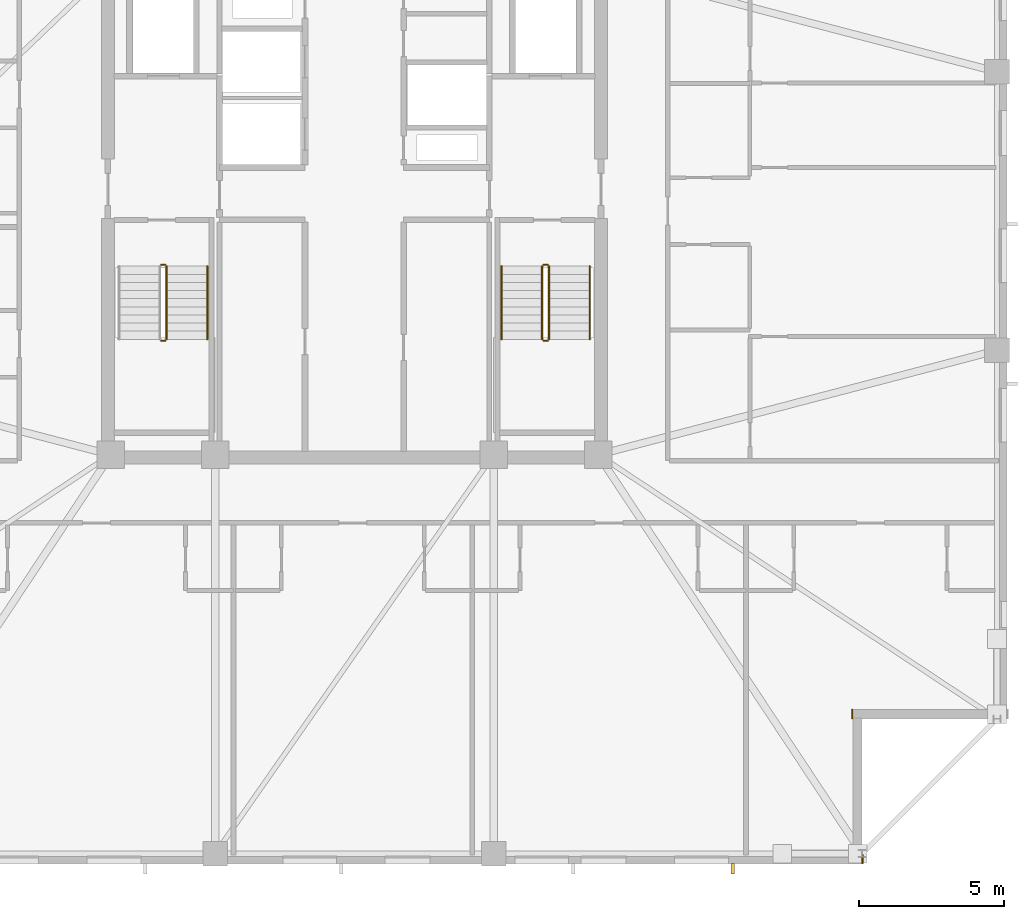
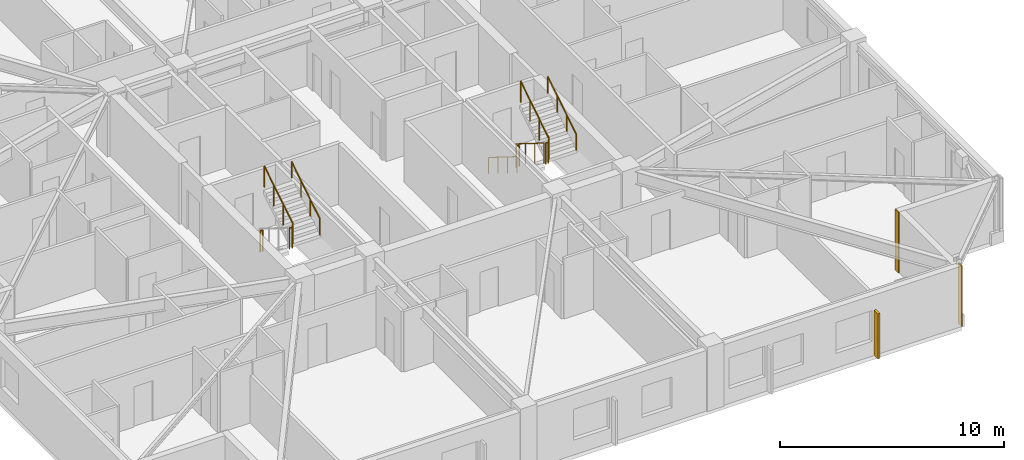
# One storey, part 14 of 17: 10 railings, 2 coverings, 1 shading device.
"""IFC4 building model written with IfcOpenShell, lengths in metres."""

from ifc_helpers import new_model, si_unit, direction, frame, frame_2d, origin, origin_2d, place, context, subcontext, project, spatial, rectangle, circle, extrude, material, layer, layer_set, type_object, element, save


model = new_model("IFC4")

# Units and contexts
model_context = context("Model", 3, precision=1e-05, world=origin(), true_north=direction((0.0, 1.0)))
body_context = subcontext(model_context, "Body", "Model", "MODEL_VIEW")
ifc_project = project(units=[si_unit("LENGTHUNIT", "METRE"), si_unit("AREAUNIT", "SQUARE_METRE"), si_unit("VOLUMEUNIT", "CUBIC_METRE"), si_unit("PLANEANGLEUNIT", "RADIAN"), si_unit("MASSUNIT", "GRAM", prefix="KILO")], contexts=[model_context])

# Site, building, storey
site_placement = place(None, origin())
site = spatial("IfcSite", under=ifc_project, at=site_placement, CompositionType="ELEMENT")
building_placement = place(site_placement, origin())
building = spatial("IfcBuilding", under=site, at=building_placement, Name="Cairnveth Concourse Tower", CompositionType="ELEMENT")
storey_placement = place(building_placement, frame((0.0, 0.0, 244.5)))
storey = spatial("IfcBuildingStorey", under=building, at=storey_placement, Name="L67", CompositionType="ELEMENT", Elevation=244.5)

# Coverings
ifc_material_1 = material(Name="Dressed Melbourne Bluestone Cladding", Category="masonry")
ifc_layer = layer(ifc_material_1, 0.050048828125)
ifc_layer_set = layer_set([ifc_layer], Name="Dressed Melbourne Bluestone Cladding")
covering_type = type_object("IfcCoveringType", Name="DRESSED BLUESTONE PLINTH CLADDING 50", PredefinedType="CLADDING", material=ifc_layer_set)
for number, where, z_axis, x_axis, name in (
    (1, (69.159912109375, 21.820068359375, 0.0), (0.0, 0.0, 1.0), (0.0, -1.0, 0.0), "Melbourne Bluestone Corner Quoin L67-1015"),
    (2, (69.52001953125, 16.820068359375, 0.0), (0.0, 0.0, 1.0), (0.0, -1.0, 0.0), "Melbourne Bluestone Corner Quoin L67-1016"),
):
    element("IfcCovering", number, at=place(storey_placement, frame(where, z_axis=z_axis, x_axis=x_axis)), inside=storey, type_object=covering_type, Name=name, PredefinedType="CLADDING", context=body_context, shape_type="SweptSolid", body=[
        extrude(rectangle(XDim=0.320068359375, YDim=0.050048828125, at=frame_2d((0.16015625, 0.0))), origin(), (0.0, 0.0, 1.0), 3.2900390625),
    ])

# Shading device
ifc_material_2 = material(Name="Architectural Bronze Anodised Aluminium 6063-T6", Category="aluminium")
shading_device_type = type_object("IfcShadingDeviceType", Name="GOTHIC BRONZE VERTICAL LANCET FIN", PredefinedType="USERDEFINED", material=ifc_material_2)
shading_device_placement = place(storey_placement, frame((65.04736328125, 16.324951171875, 0.030029296875), z_axis=(0.0, 0.0, 1.0), x_axis=(1.0, 0.0, 0.0)))
element("IfcShadingDevice", 3, at=shading_device_placement, inside=storey, type_object=shading_device_type, Name="Gothic Bronze Vertical Fin L67-9-1", ObjectType="VERTICAL FIN", PredefinedType="USERDEFINED", context=body_context, shape_type="SweptSolid", body=[
    extrude(rectangle(XDim=0.1201171875, YDim=0.360107421875, at=origin_2d()), origin(), (0.0, 0.0, 1.0), 2.43798828125),
])

# Railings
ifc_material_3 = material(Name="Steel Grade 350", Category="steel")
railing_type_1 = type_object("IfcRailingType", Name="STAIR GUARDRAIL 1150", PredefinedType="GUARDRAIL", material=ifc_material_3)
railing_1_placement = place(storey_placement, frame((45.340087890625, 34.530029296875, 1.75)))
element("IfcRailing", 4, at=railing_1_placement, inside=storey, type_object=railing_type_1, Name="L67 ST-1 stair guard 2", PredefinedType="GUARDRAIL", context=body_context, shape_type="SweptSolid", body=[
    extrude(circle(Radius=0.02392578125, at=origin_2d()), frame((0.0, 0.0, 1.1259765625), z_axis=(1.0, 0.0, 0.0), x_axis=(0.0, 1.0, 0.0)), (0.0, 0.0, 1.0), 0.139892578125),
    extrude(circle(Radius=0.02099609375, at=origin_2d()), origin(), (0.0, 0.0, 1.0), 1.101806640625),
    extrude(circle(Radius=0.02099609375, at=origin_2d()), frame((0.139892578125, 0.0, 0.0)), (0.0, 0.0, 1.0), 1.101806640625),
])
railing_2_placement = place(storey_placement, frame((45.530029296875, 34.580078125, 1.925048828125)))
element("IfcRailing", 5, at=railing_2_placement, inside=storey, type_object=railing_type_1, Name="L67 ST-1 stair guard 3", PredefinedType="GUARDRAIL", context=body_context, shape_type="SweptSolid", body=[
    extrude(circle(Radius=0.02392578125, at=origin_2d()), frame((0.0, 0.0, 1.1259765625), z_axis=(0.0, 0.848007534815, 0.529984170421), x_axis=(-1.0, 0.0, 0.0)), (0.0, 0.0, 1.0), 2.9716796875),
    extrude(circle(Radius=0.02099609375, at=origin_2d()), origin(), (0.0, 0.0, 1.0), 1.101806640625),
    extrude(circle(Radius=0.02099609375, at=origin_2d()), frame((0.0, 0.840087890625, 0.52490234375)), (0.0, 0.0, 1.0), 1.101806640625),
    extrude(circle(Radius=0.02099609375, at=origin_2d()), frame((0.0, 1.679931640625, 1.050048828125)), (0.0, 0.0, 1.0), 1.101806640625),
    extrude(circle(Radius=0.02099609375, at=origin_2d()), frame((0.0, 2.52001953125, 1.574951171875)), (0.0, 0.0, 1.0), 1.101806640625),
])
railing_3_placement = place(storey_placement, frame((45.340087890625, 37.14990234375, 0.0)))
element("IfcRailing", 6, at=railing_3_placement, inside=storey, type_object=railing_type_1, Name="L67 ST-1 stair guard 4", PredefinedType="GUARDRAIL", context=body_context, shape_type="SweptSolid", body=[
    extrude(circle(Radius=0.02392578125, at=origin_2d()), frame((0.0, 0.0, 1.1259765625), z_axis=(1.0, 0.0, 0.0), x_axis=(0.0, 1.0, 0.0)), (0.0, 0.0, 1.0), 0.139892578125),
    extrude(circle(Radius=0.02099609375, at=origin_2d()), origin(), (0.0, 0.0, 1.0), 1.101806640625),
    extrude(circle(Radius=0.02099609375, at=origin_2d()), frame((0.139892578125, 0.0, 0.0)), (0.0, 0.0, 1.0), 1.101806640625),
])
railing_4_placement = place(storey_placement, frame((58.469970703125, 37.10009765625, 0.175048828125)))
element("IfcRailing", 7, at=railing_4_placement, inside=storey, type_object=railing_type_1, Name="L67 ST-2 stair guard 1", PredefinedType="GUARDRAIL", context=body_context, shape_type="SweptSolid", body=[
    extrude(circle(Radius=0.02392578125, at=origin_2d()), frame((0.0, 0.0, 1.1259765625), z_axis=(0.0, -0.848007534815, 0.529984170421), x_axis=(1.0, 0.0, 0.0)), (0.0, 0.0, 1.0), 2.9716796875),
    extrude(circle(Radius=0.02099609375, at=origin_2d()), origin(), (0.0, 0.0, 1.0), 1.101806640625),
    extrude(circle(Radius=0.02099609375, at=origin_2d()), frame((0.0, -0.840087890625, 0.52490234375)), (0.0, 0.0, 1.0), 1.101806640625),
    extrude(circle(Radius=0.02099609375, at=origin_2d()), frame((0.0, -1.679931640625, 1.050048828125)), (0.0, 0.0, 1.0), 1.101806640625),
    extrude(circle(Radius=0.02099609375, at=origin_2d()), frame((0.0, -2.52001953125, 1.574951171875)), (0.0, 0.0, 1.0), 1.101806640625),
])
railing_5_placement = place(storey_placement, frame((58.52001953125, 34.530029296875, 1.75)))
element("IfcRailing", 8, at=railing_5_placement, inside=storey, type_object=railing_type_1, Name="L67 ST-2 stair guard 2", PredefinedType="GUARDRAIL", context=body_context, shape_type="SweptSolid", body=[
    extrude(circle(Radius=0.02392578125, at=origin_2d()), frame((0.0, 0.0, 1.1259765625), z_axis=(1.0, 0.0, 0.0), x_axis=(0.0, 1.0, 0.0)), (0.0, 0.0, 1.0), 0.139892578125),
    extrude(circle(Radius=0.02099609375, at=origin_2d()), origin(), (0.0, 0.0, 1.0), 1.101806640625),
    extrude(circle(Radius=0.02099609375, at=origin_2d()), frame((0.139892578125, 0.0, 0.0)), (0.0, 0.0, 1.0), 1.101806640625),
])
railing_6_placement = place(storey_placement, frame((58.7099609375, 34.580078125, 1.925048828125)))
element("IfcRailing", 9, at=railing_6_placement, inside=storey, type_object=railing_type_1, Name="L67 ST-2 stair guard 3", PredefinedType="GUARDRAIL", context=body_context, shape_type="SweptSolid", body=[
    extrude(circle(Radius=0.02392578125, at=origin_2d()), frame((0.0, 0.0, 1.1259765625), z_axis=(0.0, 0.848007534815, 0.529984170421), x_axis=(-1.0, 0.0, 0.0)), (0.0, 0.0, 1.0), 2.9716796875),
    extrude(circle(Radius=0.02099609375, at=origin_2d()), origin(), (0.0, 0.0, 1.0), 1.101806640625),
    extrude(circle(Radius=0.02099609375, at=origin_2d()), frame((0.0, 0.840087890625, 0.52490234375)), (0.0, 0.0, 1.0), 1.101806640625),
    extrude(circle(Radius=0.02099609375, at=origin_2d()), frame((0.0, 1.679931640625, 1.050048828125)), (0.0, 0.0, 1.0), 1.101806640625),
    extrude(circle(Radius=0.02099609375, at=origin_2d()), frame((0.0, 2.52001953125, 1.574951171875)), (0.0, 0.0, 1.0), 1.101806640625),
])
railing_7_placement = place(storey_placement, frame((58.52001953125, 37.14990234375, 0.0)))
element("IfcRailing", 10, at=railing_7_placement, inside=storey, type_object=railing_type_1, Name="L67 ST-2 stair guard 4", PredefinedType="GUARDRAIL", context=body_context, shape_type="SweptSolid", body=[
    extrude(circle(Radius=0.02392578125, at=origin_2d()), frame((0.0, 0.0, 1.1259765625), z_axis=(1.0, 0.0, 0.0), x_axis=(0.0, 1.0, 0.0)), (0.0, 0.0, 1.0), 0.139892578125),
    extrude(circle(Radius=0.02099609375, at=origin_2d()), origin(), (0.0, 0.0, 1.0), 1.101806640625),
    extrude(circle(Radius=0.02099609375, at=origin_2d()), frame((0.139892578125, 0.0, 0.0)), (0.0, 0.0, 1.0), 1.101806640625),
])
railing_type_2 = type_object("IfcRailingType", Name="STAIR WALL HANDRAIL 900", PredefinedType="HANDRAIL", material=ifc_material_3)
railing_8_placement = place(storey_placement, frame((46.929931640625, 34.580078125, 1.925048828125)))
element("IfcRailing", 11, at=railing_8_placement, inside=storey, type_object=railing_type_2, Name="L67 ST-1 stair handrail 2", PredefinedType="HANDRAIL", context=body_context, shape_type="SweptSolid", body=[
    extrude(circle(Radius=0.02392578125, at=origin_2d()), frame((0.0, 0.0, 0.8759765625), z_axis=(0.0, 0.848007534815, 0.529984170421), x_axis=(-1.0, 0.0, 0.0)), (0.0, 0.0, 1.0), 2.9716796875),
    extrude(circle(Radius=0.02099609375, at=origin_2d()), origin(), (0.0, 0.0, 1.0), 0.851806640625),
    extrude(circle(Radius=0.02099609375, at=origin_2d()), frame((0.0, 0.840087890625, 0.52490234375)), (0.0, 0.0, 1.0), 0.851806640625),
    extrude(circle(Radius=0.02099609375, at=origin_2d()), frame((0.0, 1.679931640625, 1.050048828125)), (0.0, 0.0, 1.0), 0.851806640625),
    extrude(circle(Radius=0.02099609375, at=origin_2d()), frame((0.0, 2.52001953125, 1.574951171875)), (0.0, 0.0, 1.0), 0.851806640625),
])
railing_9_placement = place(storey_placement, frame((57.070068359375, 37.10009765625, 0.175048828125)))
element("IfcRailing", 12, at=railing_9_placement, inside=storey, type_object=railing_type_2, Name="L67 ST-2 stair handrail 1", PredefinedType="HANDRAIL", context=body_context, shape_type="SweptSolid", body=[
    extrude(circle(Radius=0.02392578125, at=origin_2d()), frame((0.0, 0.0, 0.8759765625), z_axis=(0.0, -0.848007534815, 0.529984170421), x_axis=(1.0, 0.0, 0.0)), (0.0, 0.0, 1.0), 2.9716796875),
    extrude(circle(Radius=0.02099609375, at=origin_2d()), origin(), (0.0, 0.0, 1.0), 0.851806640625),
    extrude(circle(Radius=0.02099609375, at=origin_2d()), frame((0.0, -0.840087890625, 0.52490234375)), (0.0, 0.0, 1.0), 0.851806640625),
    extrude(circle(Radius=0.02099609375, at=origin_2d()), frame((0.0, -1.679931640625, 1.050048828125)), (0.0, 0.0, 1.0), 0.851806640625),
    extrude(circle(Radius=0.02099609375, at=origin_2d()), frame((0.0, -2.52001953125, 1.574951171875)), (0.0, 0.0, 1.0), 0.851806640625),
])
railing_10_placement = place(storey_placement, frame((60.110107421875, 34.580078125, 1.925048828125)))
element("IfcRailing", 13, at=railing_10_placement, inside=storey, type_object=railing_type_2, Name="L67 ST-2 stair handrail 2", PredefinedType="HANDRAIL", context=body_context, shape_type="SweptSolid", body=[
    extrude(circle(Radius=0.02392578125, at=origin_2d()), frame((0.0, 0.0, 0.8759765625), z_axis=(0.0, 0.848007534815, 0.529984170421), x_axis=(-1.0, 0.0, 0.0)), (0.0, 0.0, 1.0), 2.9716796875),
    extrude(circle(Radius=0.02099609375, at=origin_2d()), origin(), (0.0, 0.0, 1.0), 0.851806640625),
    extrude(circle(Radius=0.02099609375, at=origin_2d()), frame((0.0, 0.840087890625, 0.52490234375)), (0.0, 0.0, 1.0), 0.851806640625),
    extrude(circle(Radius=0.02099609375, at=origin_2d()), frame((0.0, 1.679931640625, 1.050048828125)), (0.0, 0.0, 1.0), 0.851806640625),
    extrude(circle(Radius=0.02099609375, at=origin_2d()), frame((0.0, 2.52001953125, 1.574951171875)), (0.0, 0.0, 1.0), 0.851806640625),
])

save(model, "model.ifc")
